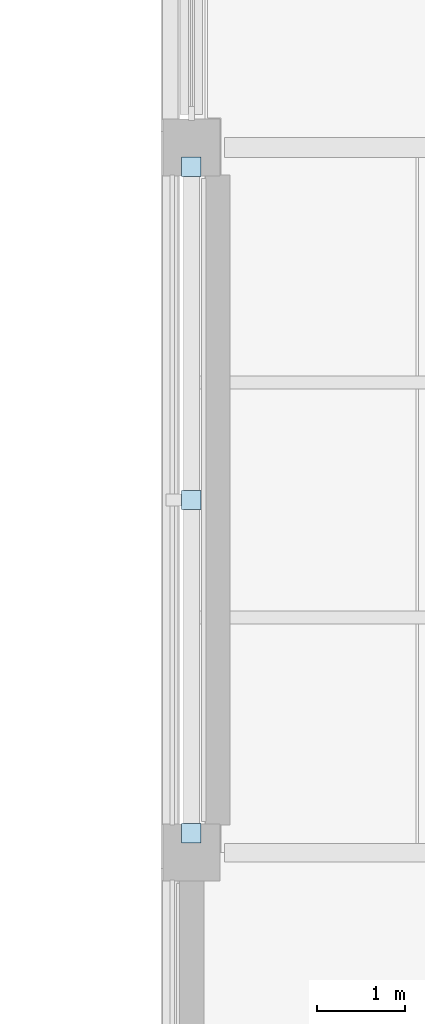
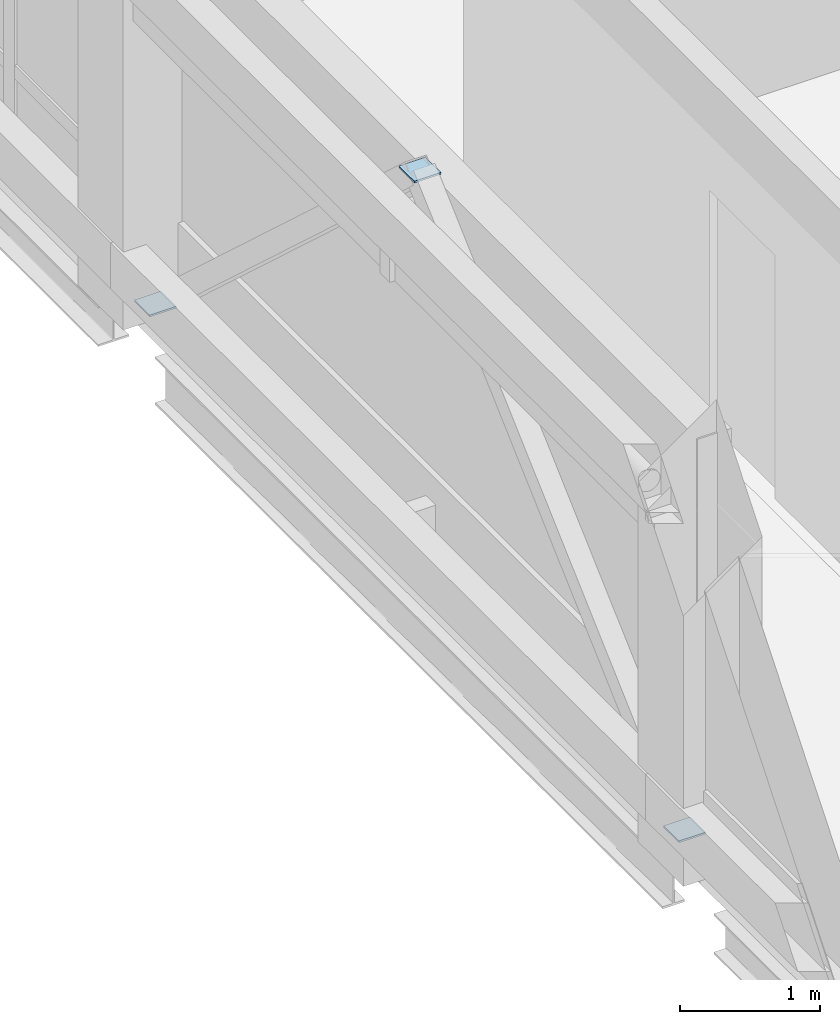
# One storey, part 85 of 126: 3 plates.
"""IFC4 building model written with IfcOpenShell, lengths in metres."""

import ifcopenshell
import ifcopenshell.guid

model = None  # the IFC model being written
_history = None  # IfcOwnerHistory: only IFC2X3 demands one
_inside = {}  # id of a spatial element -> (the spatial element, [elements in it])
_under = {}  # id of a project, library or spatial element -> (it, [spatial elements below it])
_declared = {}  # id of a project -> (the project, [libraries it declares])
_typed = {}  # id of a type object -> (the type object, [elements of that type])
_made_of = {}  # id of a material, layer set ... -> (it, [elements and type objects made of it])


def new_model(schema):
    """Start an empty IFC model of exactly this schema.

    Asked for "IFC4X3", IfcOpenShell would pick the latest addendum, in which some entities
    have other attributes; the version numbers below select the first issue.
    IFC2X3 requires an IfcOwnerHistory on every rooted entity: one is made here for all.
    """
    global model, _history
    if schema == "IFC4X3":
        model = ifcopenshell.file(schema_version=(4, 3, 0, 0))
    else:
        model = ifcopenshell.file(schema=schema)
    _inside.clear()
    _under.clear()
    _declared.clear()
    _typed.clear()
    _made_of.clear()
    _history = None
    if model.schema == "IFC2X3":
        org = make("IfcOrganization", Name="unknown")
        user = make(
            "IfcPersonAndOrganization",
            ThePerson=make("IfcPerson", FamilyName="unknown"),
            TheOrganization=org,
        )
        app = make(
            "IfcApplication",
            ApplicationDeveloper=org,
            Version="unknown",
            ApplicationFullName="unknown",
            ApplicationIdentifier="unknown",
        )
        _history = make(
            "IfcOwnerHistory",
            OwningUser=user,
            OwningApplication=app,
            ChangeAction="ADDED",
            CreationDate=0,
        )
    return model


def make(cls, **values):
    """One entity of the class cls with the attributes given. An attribute that is None is left unset."""
    return model.create_entity(
        cls, **{name: value for name, value in values.items() if value is not None}
    )


def rooted(cls, **values):
    """An entity with a GlobalId (a new one), such as an element, a storey or a relation."""
    return make(cls, GlobalId=ifcopenshell.guid.new(), OwnerHistory=_history, **values)


def si_unit(unit_type, name, prefix=None):
    """IfcSIUnit, for example si_unit("LENGTHUNIT", "METRE", prefix="MILLI")."""
    return make("IfcSIUnit", UnitType=unit_type, Prefix=prefix, Name=name)


def derived_unit(unit_type, elements):
    """IfcDerivedUnit: a product of units, each with its exponent."""
    return make(
        "IfcDerivedUnit",
        Elements=[
            make("IfcDerivedUnitElement", Unit=unit, Exponent=power)
            for unit, power in elements
        ],
        UnitType=unit_type,
    )


def assignment(units):
    """IfcUnitAssignment: the units of a project."""
    return None if units is None else make("IfcUnitAssignment", Units=units)


def point(xyz):
    """IfcCartesianPoint."""
    return None if xyz is None else make("IfcCartesianPoint", Coordinates=xyz)


def direction(xyz):
    """IfcDirection."""
    return None if xyz is None else make("IfcDirection", DirectionRatios=xyz)


def frame(location, z_axis=None, x_axis=None):
    """IfcAxis2Placement3D, a coordinate frame: its origin and axes. An axis left out is left unset."""
    return make(
        "IfcAxis2Placement3D",
        Location=point(location),
        Axis=direction(z_axis),
        RefDirection=direction(x_axis),
    )


def frame_2d(location, x_axis=None):
    """IfcAxis2Placement2D, a coordinate frame in the plane: its origin and x axis."""
    return make(
        "IfcAxis2Placement2D", Location=point(location), RefDirection=direction(x_axis)
    )


def origin():
    """The frame at (0, 0, 0) with its axes left unset."""
    return frame((0.0, 0.0, 0.0))


def origin_2d():
    """The frame at (0, 0) in the plane with its x axis left unset."""
    return frame_2d((0.0, 0.0))


def place(relative_to, where):
    """IfcLocalPlacement: puts the frame where relative to a parent placement (None: the world)."""
    return make(
        "IfcLocalPlacement", PlacementRelTo=relative_to, RelativePlacement=where
    )


def context(
    kind, dimensions, precision=None, world=None, true_north=None, identifier=None
):
    """IfcGeometricRepresentationContext, for example the 3D "Model" context."""
    return make(
        "IfcGeometricRepresentationContext",
        ContextIdentifier=identifier,
        ContextType=kind,
        CoordinateSpaceDimension=dimensions,
        Precision=precision,
        WorldCoordinateSystem=world,
        TrueNorth=true_north,
    )


def subcontext(parent, identifier, kind, view, scale=None):
    """IfcGeometricRepresentationSubContext, for example "Body" below "Model"."""
    return make(
        "IfcGeometricRepresentationSubContext",
        ContextIdentifier=identifier,
        ContextType=kind,
        ParentContext=parent,
        TargetScale=scale,
        TargetView=view,
    )


def project(units=None, contexts=None):
    """IfcProject with its units and contexts."""
    return rooted(
        "IfcProject",
        Name="project",
        RepresentationContexts=contexts,
        UnitsInContext=assignment(units),
    )


def spatial(cls, under=None, at=None, **own):
    """A site, building, storey or space (cls), placed at a placement, below another one or the project."""
    s = rooted(cls, ObjectPlacement=at, **own)
    if under is not None:
        _under.setdefault(under.id(), (under, []))[1].append(s)
    return s


def profile(cls, at=None, kind="AREA", **sizes):
    """A parametric profile (cls). Its sizes go by their IFC names, for example OverallWidth=200.0."""
    return make(cls, ProfileType=kind, Position=at, **sizes)


def rectangle(**sizes):
    """IfcRectangleProfileDef."""
    return profile("IfcRectangleProfileDef", **sizes)


def extrude(swept, where, along, depth):
    """IfcExtrudedAreaSolid: the profile swept, set in the frame where, extruded along a direction by depth."""
    return make(
        "IfcExtrudedAreaSolid",
        SweptArea=swept,
        Position=where,
        ExtrudedDirection=direction(along),
        Depth=depth,
    )


def shape(context_of_items, identifier, shape_type, items):
    """IfcShapeRepresentation: the items that make up one representation, for example the "Body"."""
    return make(
        "IfcShapeRepresentation",
        ContextOfItems=context_of_items,
        RepresentationIdentifier=identifier,
        RepresentationType=shape_type,
        Items=items,
    )


def material(Name=None, Category=None):
    """IfcMaterial."""
    return make("IfcMaterial", Name=Name, Category=Category)


def layer(
    of_material, thickness, ventilated=None, Name=None, Category=None, Priority=None
):
    """IfcMaterialLayer: one layer of a wall or slab, of a material (None: an air gap)."""
    return make(
        "IfcMaterialLayer",
        Material=of_material,
        LayerThickness=thickness,
        IsVentilated=ventilated,
        Name=Name,
        Category=Category,
        Priority=Priority,
    )


def layer_set(layers, Name=None):
    """IfcMaterialLayerSet."""
    return make("IfcMaterialLayerSet", MaterialLayers=layers, LayerSetName=Name)


def made_of(thing, what):
    """Note that an element or type object is made of a material, layer set ...; save() writes the relation."""
    if what is not None:
        _made_of.setdefault(what.id(), (what, []))[1].append(thing)
    return thing


def type_object(cls, material=None, **own):
    """A type object (cls), such as IfcWallType, which elements share."""
    return made_of(rooted(cls, **own), material)


def element(
    cls,
    number,
    at=None,
    inside=None,
    cuts=None,
    type_object=None,
    material=None,
    context=None,
    identifier="Body",
    shape_type=None,
    held_by="IfcProductDefinitionShape",
    body=None,
    shapes=None,
    **own,
):
    """One element of the class cls, such as IfcWall. Its Tag is "e" and its number.

    at: its placement. inside: the storey or other place that contains it. cuts: it is an
    opening in that element (IfcRelVoidsElement). A single representation is given by context,
    identifier, shape_type and body (its items); several are given by shapes. held_by: the class
    of the entity that holds the representations. save() writes the other relations.
    """
    e = rooted(cls, Tag="e%d" % number, ObjectPlacement=at, **own)
    if body is not None:
        shapes = [shape(context, identifier, shape_type, body)]
    if shapes is not None:
        e.Representation = make(held_by, Representations=shapes)
    if inside is not None:
        _inside.setdefault(inside.id(), (inside, []))[1].append(e)
    if cuts is not None:
        rooted(
            "IfcRelVoidsElement", RelatingBuildingElement=cuts, RelatedOpeningElement=e
        )
    if type_object is not None:
        _typed.setdefault(type_object.id(), (type_object, []))[1].append(e)
    return made_of(e, material)


def aggregate(whole, parts):
    """IfcRelAggregates: a whole, such as a stair, and the parts it consists of."""
    return rooted("IfcRelAggregates", RelatingObject=whole, RelatedObjects=parts)


def save(model, path):
    """Write the relations noted so far, then the file.

    IfcRelAggregates (storeys below a building ...), IfcRelContainedInSpatialStructure (elements
    in a storey), IfcRelDefinesByType, IfcRelAssociatesMaterial and IfcRelDeclares: one each for
    every whole, place, type object, material and project.
    """
    for whole, parts in _under.values():
        aggregate(whole, parts)
    for where, things in _inside.values():
        rooted(
            "IfcRelContainedInSpatialStructure",
            RelatedElements=things,
            RelatingStructure=where,
        )
    for kind, things in _typed.values():
        rooted("IfcRelDefinesByType", RelatedObjects=things, RelatingType=kind)
    for what, things in _made_of.values():
        rooted("IfcRelAssociatesMaterial", RelatedObjects=things, RelatingMaterial=what)
    for by, libraries in _declared.values():
        rooted("IfcRelDeclares", RelatingContext=by, RelatedDefinitions=libraries)
    model.write(path)


model = new_model("IFC4")

# Units and contexts
model_context = context("Model", 3, precision=1e-05, world=origin(), true_north=direction((0.0, 1.0)))
body_context = subcontext(model_context, "Body", "Model", "MODEL_VIEW")
ifc_project = project(units=[si_unit("LENGTHUNIT", "METRE"), si_unit("AREAUNIT", "SQUARE_METRE"), si_unit("VOLUMEUNIT", "CUBIC_METRE"), si_unit("PLANEANGLEUNIT", "RADIAN"), si_unit("MASSUNIT", "GRAM", prefix="KILO"), derived_unit("THERMALTRANSMITTANCEUNIT", [(si_unit("MASSUNIT", "GRAM", prefix="KILO"), 1), (si_unit("TIMEUNIT", "SECOND"), -3), (si_unit("THERMODYNAMICTEMPERATUREUNIT", "KELVIN"), -1)])], contexts=[model_context])

# Site, building, storey
site_placement = place(None, origin())
site = spatial("IfcSite", under=ifc_project, at=site_placement, CompositionType="ELEMENT")
building_placement = place(site_placement, origin())
building = spatial("IfcBuilding", under=site, at=building_placement, Name="Veyamyaing Civic Hall", CompositionType="ELEMENT")
storey_placement = place(building_placement, frame((0.0, 0.0, 9.89990234375)))
storey = spatial("IfcBuildingStorey", under=building, at=storey_placement, Name="L02", CompositionType="ELEMENT", Elevation=9.89990234375)

# Plates
ifc_material = material(Name="Steel S355J2", Category="steel")
ifc_layer = layer(ifc_material, 0.01611328125, Name="Steel S355J2")
ifc_layer_set = layer_set([ifc_layer], Name="Steel S355J2")
plate_type = type_object("IfcPlateType", Name="GP-04", PredefinedType="SHEET", material=ifc_layer_set)
for number, where, z_axis, x_axis, name in (
    (1, (0.0, 88.219970703125, 0.0419921875), (0.0, 0.0, 1.0), (1.0, 0.0, 0.0), "Brace base gusset plate GP-04 BF-NW L02.L"),
    (2, (0.0, 95.780029296875, 0.0419921875), (0.0, 0.0, 1.0), (1.0, 0.0, 0.0), "Brace base gusset plate GP-04 BF-NW L02.R"),
    (3, (0.0, 92.0, 3.501953125), (0.0, 0.0, 1.0), (1.0, 0.0, 0.0), "Brace apex gusset plate GP-04 BF-NW L02"),
):
    element("IfcPlate", number, at=place(storey_placement, frame(where, z_axis=z_axis, x_axis=x_axis)), inside=storey, type_object=plate_type, Name=name, PredefinedType="SHEET", context=body_context, shape_type="SweptSolid", body=[
        extrude(rectangle(XDim=0.219970703125, YDim=0.219970703125, at=origin_2d()), origin(), (0.0, 0.0, 1.0), 0.01611328125),
    ])

save(model, "model.ifc")
